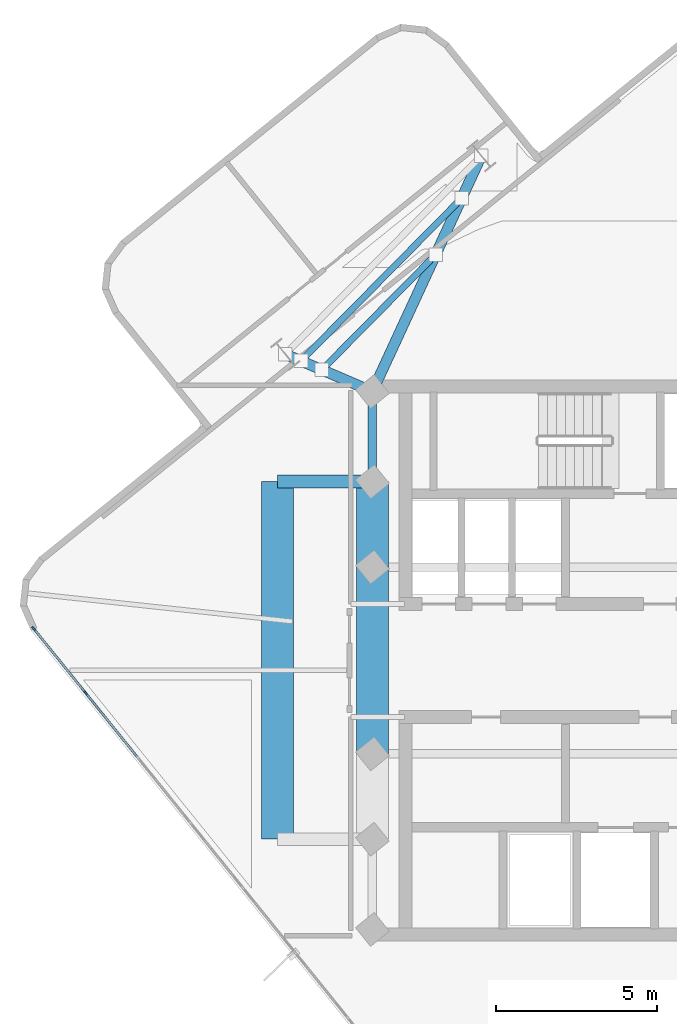
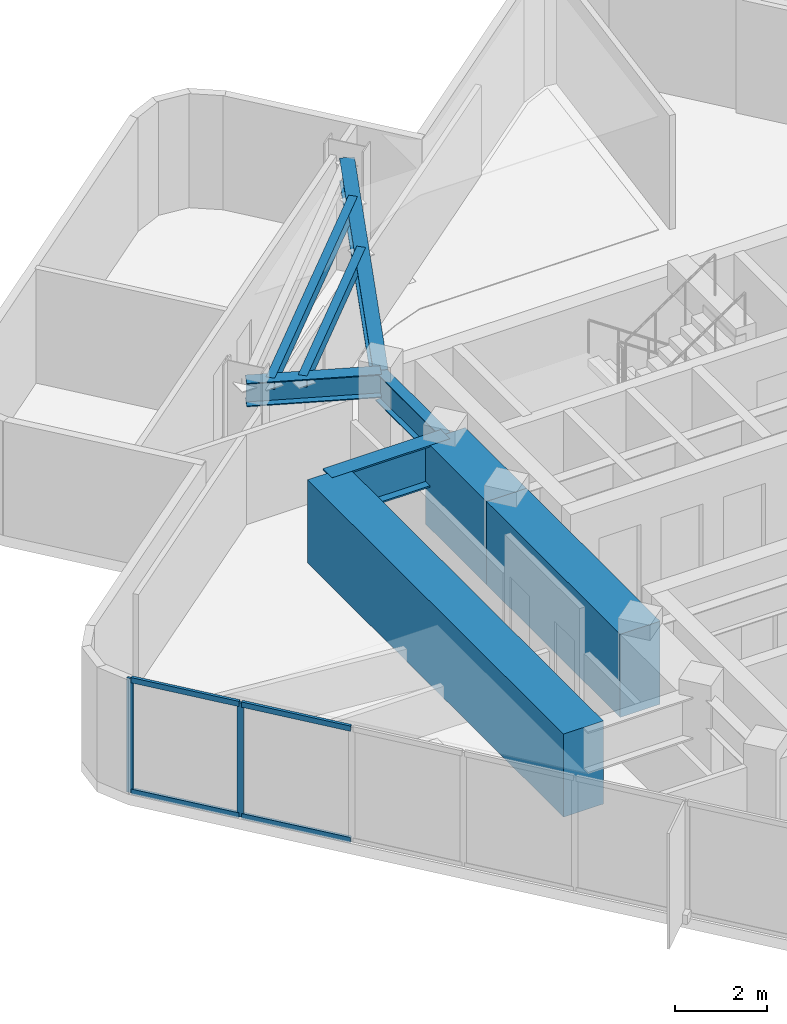
# One storey, part 3 of 9: 9 beams, 6 members, 1 element without a shape of its own.
"""IFC4 building model written with IfcOpenShell, lengths in metres."""

from ifc_helpers import new_model, si_unit, direction, frame, origin, origin_2d, place, context, subcontext, project, spatial, rectangle, hollow_rectangle, i_section, extrude, material, layer, layer_set, material_profile, profile_set, type_object, element, aggregate, save


model = new_model("IFC4")

# Units and contexts
model_context = context("Model", 3, precision=1e-05, world=origin(), true_north=direction((0.0, 1.0)))
body_context = subcontext(model_context, "Body", "Model", "MODEL_VIEW")
ifc_project = project(units=[si_unit("LENGTHUNIT", "METRE"), si_unit("AREAUNIT", "SQUARE_METRE"), si_unit("VOLUMEUNIT", "CUBIC_METRE"), si_unit("PLANEANGLEUNIT", "RADIAN"), si_unit("MASSUNIT", "GRAM", prefix="KILO")], contexts=[model_context])

# Site, building, storey
site_placement = place(None, origin())
site = spatial("IfcSite", under=ifc_project, at=site_placement, CompositionType="ELEMENT")
building_placement = place(site_placement, origin())
building = spatial("IfcBuilding", under=site, at=building_placement, Name="Solmarez Civic Tower", CompositionType="ELEMENT")
storey_placement = place(building_placement, frame((0.0, 0.0, 235.97998046875)))
storey = spatial("IfcBuildingStorey", under=building, at=storey_placement, Name="L63", CompositionType="ELEMENT", Elevation=235.97998046875)

# Beams
ifc_material_1 = material(Name="Steel S355", Category="steel")
ifc_material_profile_1 = material_profile(ifc_material_1, hollow_rectangle(XDim=0.199951171875, YDim=0.300048828125, WallThickness=0.011962890625, at=origin_2d()), Name="HSS300X200X12")
ifc_profile_set_1 = profile_set([ifc_material_profile_1], Name="Steel S355")
beam_type_1 = type_object("IfcBeamType", Name="BM-JS-HSS300X200", PredefinedType="JOIST", material=ifc_profile_set_1)
beam_1_placement = place(storey_placement, frame((-6.887939453125, 12.595947265625, 2.8701171875), z_axis=(-0.702816380081, -0.711371306625, 0.0), x_axis=(0.711371306625, -0.702816380081, 0.0)))
element("IfcBeam", 1, at=beam_1_placement, inside=storey, type_object=beam_type_1, Name="L63 Secondary Floor Joist JS-L63-NA-M11", PredefinedType="JOIST", context=body_context, shape_type="SweptSolid", body=[
    extrude(hollow_rectangle(XDim=0.199951171875, YDim=0.300048828125, WallThickness=0.011962890625, at=origin_2d()), origin(), (0.0, 0.0, 1.0), 5.022705078125),
])
beam_2_placement = place(storey_placement, frame((-6.076904296875, 14.35302734375, 2.8701171875), z_axis=(-0.702726827997, -0.711459770622, 0.0), x_axis=(0.711459770622, -0.702726827997, 0.0)))
element("IfcBeam", 2, at=beam_2_placement, inside=storey, type_object=beam_type_1, Name="L63 Secondary Floor Joist JS-L63-NA-M12", PredefinedType="JOIST", context=body_context, shape_type="SweptSolid", body=[
    extrude(hollow_rectangle(XDim=0.199951171875, YDim=0.300048828125, WallThickness=0.011962890625, at=origin_2d()), origin(), (0.0, 0.0, 1.0), 7.100830078125),
])
ifc_material_profile_2 = material_profile(ifc_material_1, i_section(OverallWidth=0.327880859375, OverallDepth=0.6220703125, WebThickness=0.015380859375, FlangeThickness=0.0244140625, at=origin_2d()), Name="W24X131")
ifc_profile_set_2 = profile_set([ifc_material_profile_2], Name="Steel S355")
beam_type_2 = type_object("IfcBeamType", Name="BM-PR-W24X131", PredefinedType="BEAM", material=ifc_profile_set_2)
beam_3_placement = place(storey_placement, frame((-8.85009765625, 8.35009765625, 2.708984375), z_axis=(0.419390280967, 0.907806032273, 0.0), x_axis=(-0.907806032273, 0.419390280967, 0.0)))
element("IfcBeam", 3, at=beam_3_placement, inside=storey, type_object=beam_type_2, Name="L63 Primary Floor Beam BM-L63-NA-R1A", PredefinedType="BEAM", context=body_context, shape_type="SweptSolid", body=[
    extrude(i_section(OverallWidth=0.327880859375, OverallDepth=0.6220703125, WebThickness=0.015380859375, FlangeThickness=0.0244140625, at=origin_2d()), origin(), (0.0, 0.0, 1.0), 8.064208984375),
])
beam_4_placement = place(storey_placement, frame((-8.85009765625, 8.35009765625, 2.708984375), z_axis=(-0.919007627325, 0.394239750557, 0.0), x_axis=(-0.394239750557, -0.919007627325, 0.0)))
element("IfcBeam", 4, at=beam_4_placement, inside=storey, type_object=beam_type_2, Name="L63 Primary Floor Beam BM-L63-NA-R1B", PredefinedType="BEAM", context=body_context, shape_type="SweptSolid", body=[
    extrude(i_section(OverallWidth=0.327880859375, OverallDepth=0.6220703125, WebThickness=0.015380859375, FlangeThickness=0.0244140625, at=origin_2d()), origin(), (0.0, 0.0, 1.0), 2.942138671875),
])
ifc_material_profile_3 = material_profile(ifc_material_1, i_section(OverallWidth=0.26708984375, OverallDepth=0.761962890625, WebThickness=0.014404296875, FlangeThickness=0.021484375, at=origin_2d()), Name="W30X116")
ifc_profile_set_3 = profile_set([ifc_material_profile_3], Name="Steel S355")
beam_type_3 = type_object("IfcBeamType", Name="BM-PR-W30X116", PredefinedType="BEAM", material=ifc_profile_set_3)
beam_5_placement = place(storey_placement, frame((-8.85009765625, 5.550048828125, 2.638916015625), z_axis=(0.0, 1.0, 0.0), x_axis=(-1.0, 0.0, 0.0)))
element("IfcBeam", 5, at=beam_5_placement, inside=storey, type_object=beam_type_3, Name="L63 Primary Floor Beam BM-L63-HC4-HC9", PredefinedType="BEAM", context=body_context, shape_type="SweptSolid", body=[
    extrude(i_section(OverallWidth=0.26708984375, OverallDepth=0.761962890625, WebThickness=0.014404296875, FlangeThickness=0.021484375, at=origin_2d()), origin(), (0.0, 0.0, 1.0), 2.800048828125),
])
ifc_material_2 = material(Name="Concrete C60/75", Category="concrete")
ifc_material_profile_4 = material_profile(ifc_material_2, rectangle(XDim=1.0, YDim=2.199951171875, at=origin_2d()), Name="RC1000X2200")
ifc_profile_set_4 = profile_set([ifc_material_profile_4], Name="Concrete C60/75")
beam_type_4 = type_object("IfcBeamType", Name="BM-TG-RC1000X2200", PredefinedType="USERDEFINED", material=ifc_profile_set_4)
beam_6_placement = place(storey_placement, frame((-8.85009765625, -2.89990234375, 1.919921875), z_axis=(0.0, 1.0, 0.0), x_axis=(-1.0, 0.0, 0.0)))
element("IfcBeam", 6, at=beam_6_placement, inside=storey, type_object=beam_type_4, Name="L63 Transfer Girder BM-L63-HC2-HC3", ObjectType="TRANSFER_GIRDER", PredefinedType="USERDEFINED", context=body_context, shape_type="SweptSolid", body=[
    extrude(rectangle(XDim=1.0, YDim=2.199951171875, at=origin_2d()), origin(), (0.0, 0.0, 1.0), 5.7998046875),
])
beam_7_placement = place(storey_placement, frame((-8.85009765625, 2.89990234375, 1.919921875), z_axis=(0.0, 1.0, 0.0), x_axis=(-1.0, 0.0, 0.0)))
element("IfcBeam", 7, at=beam_7_placement, inside=storey, type_object=beam_type_4, Name="L63 Transfer Girder BM-L63-HC3-HC4", ObjectType="TRANSFER_GIRDER", PredefinedType="USERDEFINED", context=body_context, shape_type="SweptSolid", body=[
    extrude(rectangle(XDim=1.0, YDim=2.199951171875, at=origin_2d()), origin(), (0.0, 0.0, 1.0), 2.650146484375),
])
beam_8_placement = place(storey_placement, frame((-11.800048828125, -5.550048828125, 1.919921875), z_axis=(0.0, 1.0, 0.0), x_axis=(-1.0, 0.0, 0.0)))
element("IfcBeam", 8, at=beam_8_placement, inside=storey, type_object=beam_type_4, Name="L63 Transfer Girder BM-L63-WT-MAIN", ObjectType="TRANSFER_GIRDER", PredefinedType="USERDEFINED", context=body_context, shape_type="SweptSolid", body=[
    extrude(rectangle(XDim=1.0, YDim=2.199951171875, at=origin_2d()), origin(), (0.0, 0.0, 1.0), 11.10009765625),
])
ifc_material_profile_5 = material_profile(ifc_material_1, i_section(OverallWidth=0.402099609375, OverallDepth=1.10791015625, WebThickness=0.02197265625, FlangeThickness=0.039794921875, at=origin_2d()), Name="W44X290")
ifc_profile_set_5 = profile_set([ifc_material_profile_5], Name="Steel S355")
beam_type_5 = type_object("IfcBeamType", Name="BM-TG-W44X290", PredefinedType="USERDEFINED", material=ifc_profile_set_5)
beam_9_placement = place(storey_placement, frame((-8.85009765625, 5.550048828125, 2.466064453125), z_axis=(-1.0, 0.0, 0.0), x_axis=(0.0, -1.0, 0.0)))
element("IfcBeam", 9, at=beam_9_placement, inside=storey, type_object=beam_type_5, Name="L63 Transfer Girder BM-L63-WT-N", ObjectType="TRANSFER_GIRDER", PredefinedType="USERDEFINED", context=body_context, shape_type="SweptSolid", body=[
    extrude(i_section(OverallWidth=0.402099609375, OverallDepth=1.10791015625, WebThickness=0.02197265625, FlangeThickness=0.039794921875, at=origin_2d()), origin(), (0.0, 0.0, 1.0), 2.949951171875),
])

# Curtain wall, members
ifc_material_3 = material(Name="Bronze Anodised Aluminium EN AW-6063 T6", Category="aluminium")
ifc_layer = layer(ifc_material_3, 0.1650390625)
ifc_layer_set = layer_set([ifc_layer], Name="Bronze Anodised Aluminium EN AW-6063 T6")
curtain_wall_type = type_object("IfcCurtainWallType", Name="CW-SYS-4", PredefinedType="NOTDEFINED", material=ifc_layer_set)
curtain_wall_placement = place(storey_placement, origin())
curtain_wall = element("IfcCurtainWall", 10, at=curtain_wall_placement, inside=storey, type_object=curtain_wall_type, Name="L63 Stick-Built Curtain Wall 2", PredefinedType="NOTDEFINED")
ifc_material_profile_6 = material_profile(ifc_material_3, rectangle(XDim=0.06005859375, YDim=0.14990234375, at=origin_2d()), Name="CWM-60X150")
ifc_profile_set_6 = profile_set([ifc_material_profile_6], Name="Bronze Anodised Aluminium EN AW-6063 T6")
member_type_1 = type_object("IfcMemberType", Name="CWM-TYPE-4", PredefinedType="MULLION", material=ifc_profile_set_6)
member_1_placement = place(storey_placement, frame((-17.757080078125, -1.00439453125, 0.0), z_axis=(0.0, 0.0, 1.0), x_axis=(-0.778231193948, -0.627977872831, 0.0)))
member_1 = element("IfcMember", 11, at=member_1_placement, type_object=member_type_1, Name="CWS4 mullion 10", PredefinedType="MULLION", context=body_context, shape_type="SweptSolid", body=[
    extrude(rectangle(XDim=0.06005859375, YDim=0.14990234375, at=origin_2d()), origin(), (0.0, 0.0, 1.0), 3.02001953125),
])
member_2_placement = place(storey_placement, frame((-19.3662109375, 0.98974609375, 0.0), z_axis=(0.0, 0.0, 1.0), x_axis=(-0.778231193948, -0.627977872831, 0.0)))
member_2 = element("IfcMember", 12, at=member_2_placement, type_object=member_type_1, Name="CWS4 mullion 11", PredefinedType="MULLION", context=body_context, shape_type="SweptSolid", body=[
    extrude(rectangle(XDim=0.06005859375, YDim=0.14990234375, at=origin_2d()), origin(), (0.0, 0.0, 1.0), 3.02001953125),
])
ifc_material_profile_7 = material_profile(ifc_material_3, rectangle(XDim=0.070068359375, YDim=0.139892578125, at=origin_2d()), Name="CWT-70X140")
ifc_profile_set_7 = profile_set([ifc_material_profile_7], Name="Bronze Anodised Aluminium EN AW-6063 T6")
member_type_2 = type_object("IfcMemberType", Name="CWT-TYPE-1", PredefinedType="USERDEFINED", material=ifc_profile_set_7)
member_3_placement = place(storey_placement, frame((-16.14794921875, -2.99853515625, 0.034912109375), z_axis=(-0.628004928175, 0.778209361411, 0.0), x_axis=(-0.778209361411, -0.628004928175, 0.0)))
member_3 = element("IfcMember", 13, at=member_3_placement, type_object=member_type_2, Name="CWS4 transom 9.1", ObjectType="TRANSOM", PredefinedType="USERDEFINED", context=body_context, shape_type="SweptSolid", body=[
    extrude(rectangle(XDim=0.070068359375, YDim=0.139892578125, at=origin_2d()), origin(), (0.0, 0.0, 1.0), 2.532470703125),
])
member_4_placement = place(storey_placement, frame((-16.14794921875, -2.99853515625, 2.985107421875), z_axis=(-0.628004928175, 0.778209361411, 0.0), x_axis=(-0.778209361411, -0.628004928175, 0.0)))
member_4 = element("IfcMember", 14, at=member_4_placement, type_object=member_type_2, Name="CWS4 transom 9.2", ObjectType="TRANSOM", PredefinedType="USERDEFINED", context=body_context, shape_type="SweptSolid", body=[
    extrude(rectangle(XDim=0.070068359375, YDim=0.139892578125, at=origin_2d()), origin(), (0.0, 0.0, 1.0), 2.532470703125),
])
member_5_placement = place(storey_placement, frame((-17.77587890625, -0.98095703125, 0.034912109375), z_axis=(-0.628032743739, 0.778186913789, 0.0), x_axis=(-0.778186913789, -0.628032743739, 0.0)))
member_5 = element("IfcMember", 15, at=member_5_placement, type_object=member_type_2, Name="CWS4 transom 10.1", ObjectType="TRANSOM", PredefinedType="USERDEFINED", context=body_context, shape_type="SweptSolid", body=[
    extrude(rectangle(XDim=0.070068359375, YDim=0.139892578125, at=origin_2d()), origin(), (0.0, 0.0, 1.0), 2.502197265625),
])
member_6_placement = place(storey_placement, frame((-17.77587890625, -0.98095703125, 2.985107421875), z_axis=(-0.628032743739, 0.778186913789, 0.0), x_axis=(-0.778186913789, -0.628032743739, 0.0)))
member_6 = element("IfcMember", 16, at=member_6_placement, type_object=member_type_2, Name="CWS4 transom 10.2", ObjectType="TRANSOM", PredefinedType="USERDEFINED", context=body_context, shape_type="SweptSolid", body=[
    extrude(rectangle(XDim=0.070068359375, YDim=0.139892578125, at=origin_2d()), origin(), (0.0, 0.0, 1.0), 2.502197265625),
])
aggregate(curtain_wall, [member_1, member_2, member_3, member_4, member_5, member_6])

save(model, "model.ifc")
